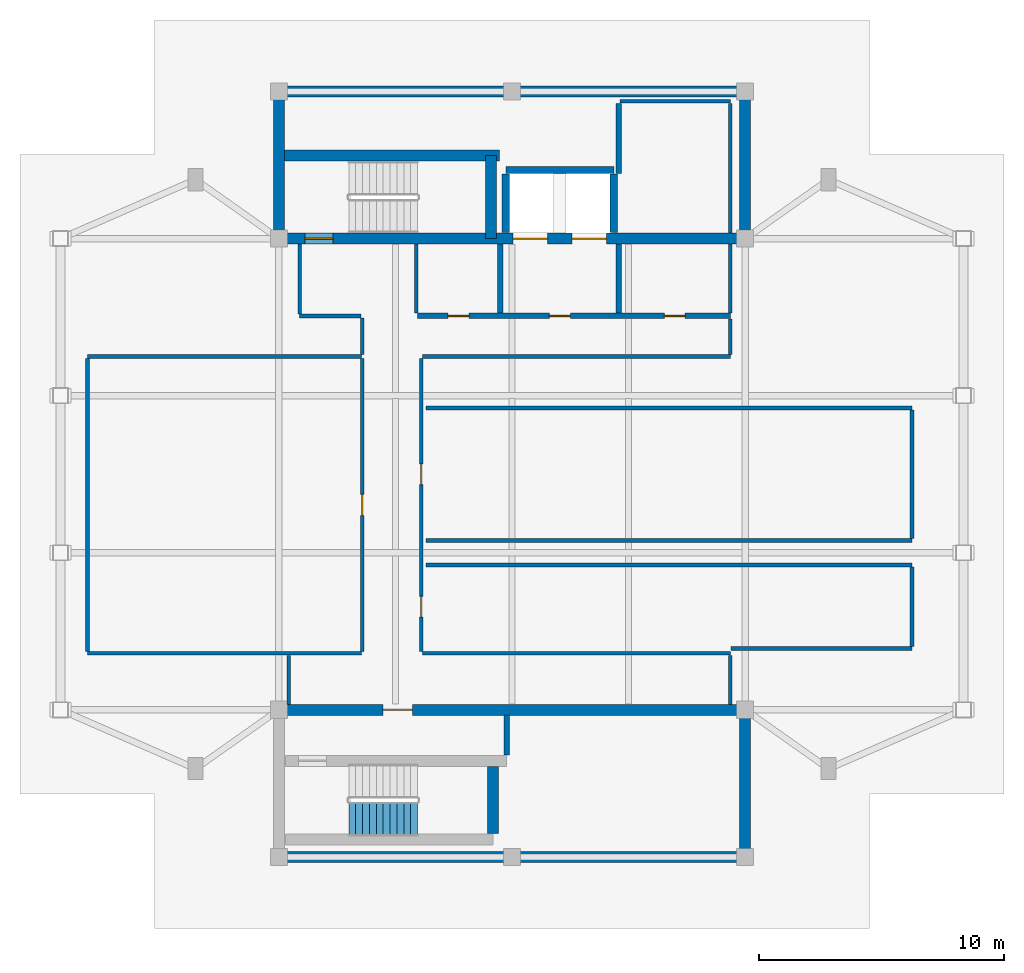
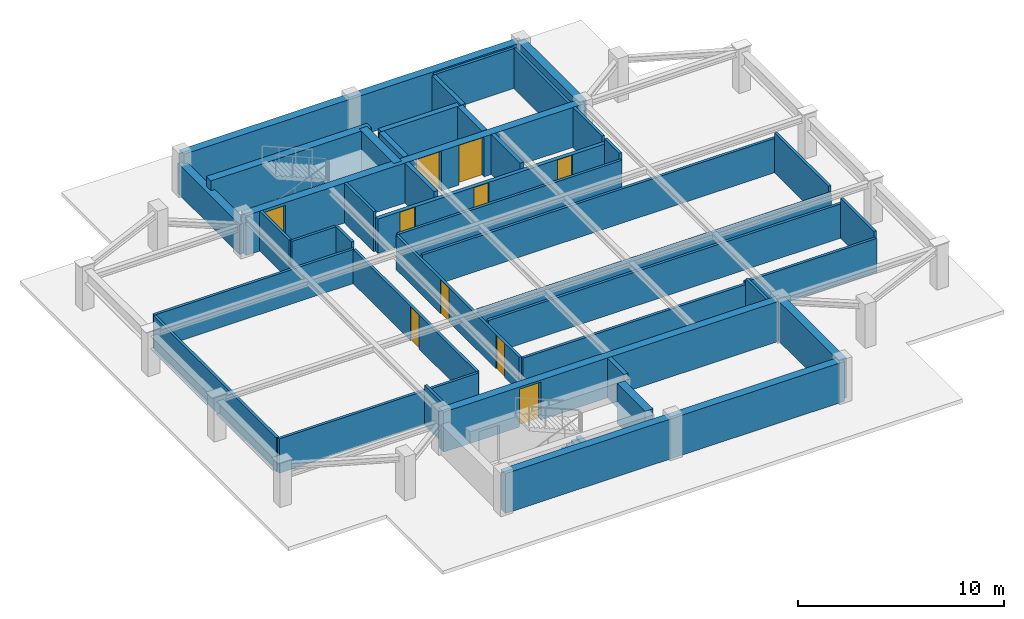
# One storey, part 2 of 4: 41 walls, 10 doors, 1 stair flight, 10 openings, 1 element without a shape of its own.
"""IFC4 building model written with IfcOpenShell, lengths in metres."""

from ifc_helpers import new_model, si_unit, direction, frame, frame_2d, origin, place, context, subcontext, project, spatial, polyline, rectangle, outline, extrude, material, layer, layer_set, type_object, element, fill, aggregate, save


model = new_model("IFC4")

# Units and contexts
model_context = context("Model", 3, precision=1e-05, world=origin(), true_north=direction((0.0, 1.0)))
body_context = subcontext(model_context, "Body", "Model", "MODEL_VIEW")
ifc_project = project(units=[si_unit("LENGTHUNIT", "METRE"), si_unit("AREAUNIT", "SQUARE_METRE"), si_unit("VOLUMEUNIT", "CUBIC_METRE"), si_unit("PLANEANGLEUNIT", "RADIAN"), si_unit("MASSUNIT", "GRAM", prefix="KILO")], contexts=[model_context])

# Site, building, storey
site_placement = place(None, origin())
site = spatial("IfcSite", under=ifc_project, at=site_placement, CompositionType="ELEMENT")
building_placement = place(site_placement, origin())
building = spatial("IfcBuilding", under=site, at=building_placement, Name="Mirazonda Arch Towers", CompositionType="ELEMENT")
storey_placement = place(building_placement, frame((0.0, 0.0, 273.89990234375)))
storey = spatial("IfcBuildingStorey", under=building, at=storey_placement, Name="L79", CompositionType="ELEMENT", Elevation=273.89990234375)

# Walls
ifc_material_1 = material(Name="Concrete C50/60", Category="concrete")
ifc_layer_1 = layer(ifc_material_1, 0.449951171875, Name="WALL-CORE-450")
ifc_layer_set_1 = layer_set([ifc_layer_1], Name="Concrete C50/60")
wall_type_1 = type_object("IfcWallType", Name="WALL-CORE-450", PredefinedType="SHEAR", material=ifc_layer_set_1)
wall_1_placement = place(storey_placement, frame((11.0, 43.60009765625, 0.0), z_axis=(0.0, 0.0, 1.0), x_axis=(1.0, 0.0, 0.0)))
element("IfcWall", 1, at=wall_1_placement, inside=storey, type_object=wall_type_1, Name="L79 T1N-N Core Shear Wall", PredefinedType="SHEAR", context=body_context, shape_type="SweptSolid", body=[
    extrude(rectangle(XDim=19.0, YDim=0.449951171875, at=frame_2d((9.5, 0.0))), origin(), (0.0, 0.0, 1.0), 2.3701171875),
])
wall_2_placement = place(storey_placement, frame((11.0, 37.60009765625, 0.0), z_axis=(0.0, 0.0, 1.0), x_axis=(0.0, 1.0, 0.0)))
element("IfcWall", 2, at=wall_2_placement, inside=storey, type_object=wall_type_1, Name="L79 T1N-W Core Shear Wall", PredefinedType="SHEAR", context=body_context, shape_type="SweptSolid", body=[
    extrude(rectangle(XDim=6.0, YDim=0.449951171875, at=frame_2d((3.0, 0.0))), origin(), (0.0, 0.0, 1.0), 1.7900390625),
])
wall_3_placement = place(storey_placement, frame((30.0, 37.60009765625, 0.0), z_axis=(0.0, 0.0, 1.0), x_axis=(0.0, 1.0, 0.0)))
element("IfcWall", 3, at=wall_3_placement, inside=storey, type_object=wall_type_1, Name="L79 T1N-E Core Shear Wall", PredefinedType="SHEAR", context=body_context, shape_type="SweptSolid", body=[
    extrude(rectangle(XDim=6.0, YDim=0.449951171875, at=frame_2d((3.0, 0.0))), origin(), (0.0, 0.0, 1.0), 2.3701171875),
])

# Wall, openings, doors
wall_4_placement = place(storey_placement, frame((11.0, 37.60009765625, 0.0), z_axis=(0.0, 0.0, 1.0), x_axis=(1.0, 0.0, 0.0)))
wall_4 = element("IfcWall", 4, at=wall_4_placement, inside=storey, type_object=wall_type_1, Name="L79 T1N-S Core Shear Wall", PredefinedType="SHEAR", context=body_context, shape_type="SweptSolid", body=[
    extrude(rectangle(XDim=19.0, YDim=0.449951171875, at=frame_2d((9.5, 0.0))), origin(), (0.0, 0.0, 1.0), 2.3701171875),
])
opening_1_placement = place(wall_4_placement, frame((1.06005859375, 0.0, 0.0)))
opening_1 = element("IfcOpeningElement", 5, at=opening_1_placement, cuts=wall_4, Name="Opening DR-135", PredefinedType="OPENING", context=body_context, shape_type="SweptSolid", body=[
    extrude(rectangle(XDim=1.14990234375, YDim=2.199951171875, at=frame_2d((0.574951171875, 1.10009765625))), frame((0.0, 0.23486328125, 0.0), z_axis=(0.0, -1.0, 0.0), x_axis=(1.0, 0.0, 0.0)), (0.0, 0.0, 1.0), 0.469970703125),
])
opening_2_placement = place(wall_4_placement, frame((9.550048828125, 0.0, 0.0)))
opening_2 = element("IfcOpeningElement", 6, at=opening_2_placement, cuts=wall_4, Name="Opening LD-112", PredefinedType="OPENING", context=body_context, shape_type="SweptSolid", body=[
    extrude(rectangle(XDim=1.39990234375, YDim=2.35009765625, at=frame_2d((0.699951171875, 1.175048828125))), frame((0.0, 0.23486328125, 0.0), z_axis=(0.0, -1.0, 0.0), x_axis=(1.0, 0.0, 0.0)), (0.0, 0.0, 1.0), 0.469970703125),
])
opening_3_placement = place(wall_4_placement, frame((11.949951171875, 0.0, 0.0)))
opening_3 = element("IfcOpeningElement", 7, at=opening_3_placement, cuts=wall_4, Name="Opening LD-112", PredefinedType="OPENING", context=body_context, shape_type="SweptSolid", body=[
    extrude(rectangle(XDim=1.39990234375, YDim=2.35009765625, at=frame_2d((0.699951171875, 1.175048828125))), frame((0.0, 0.23486328125, 0.0), z_axis=(0.0, -1.0, 0.0), x_axis=(1.0, 0.0, 0.0)), (0.0, 0.0, 1.0), 0.469970703125),
])
ifc_material_2 = material(Name="Architectural Brushed Steel S355", Category="steel")
door_type_1 = type_object("IfcDoorType", Name="DOOR-LIFT-FFL-1400", OperationType="NOTDEFINED", PredefinedType="DOOR", material=ifc_material_2)
door_1_placement = place(opening_2_placement, origin())
door_1 = element("IfcDoor", 8, at=door_1_placement, inside=storey, type_object=door_type_1, Name="L79 Lift Landing Sliding Door FFL-T1", OperationType="DOUBLE_DOOR_SLIDING", OverallHeight=2.35009765625, OverallWidth=1.39990234375, PredefinedType="DOOR", context=body_context, shape_type="SweptSolid", body=[
    extrude(rectangle(XDim=1.39990234375, YDim=2.35009765625, at=frame_2d((0.699951171875, 1.175048828125))), frame((0.0, 0.02490234375, 0.0), z_axis=(0.0, -1.0, 0.0), x_axis=(1.0, 0.0, 0.0)), (0.0, 0.0, 1.0), 0.050048828125),
])
fill(opening_2, door_1)
door_2_placement = place(opening_3_placement, origin())
door_2 = element("IfcDoor", 9, at=door_2_placement, inside=storey, type_object=door_type_1, Name="L79 Lift Landing Sliding Door SVL-T1", OperationType="DOUBLE_DOOR_SLIDING", OverallHeight=2.35009765625, OverallWidth=1.39990234375, PredefinedType="DOOR", context=body_context, shape_type="SweptSolid", body=[
    extrude(rectangle(XDim=1.39990234375, YDim=2.35009765625, at=frame_2d((0.699951171875, 1.175048828125))), frame((0.0, 0.02490234375, 0.0), z_axis=(0.0, -1.0, 0.0), x_axis=(1.0, 0.0, 0.0)), (0.0, 0.0, 1.0), 0.050048828125),
])
fill(opening_3, door_2)
door_type_2 = type_object("IfcDoorType", Name="DOOR-STAIR-FD90-1150", OperationType="NOTDEFINED", PredefinedType="DOOR", material=ifc_material_2)
door_3_placement = place(opening_1_placement, origin())
door_3 = element("IfcDoor", 10, at=door_3_placement, inside=storey, type_object=door_type_2, Name="L79 Protected Exit Stair North Door", OperationType="SINGLE_SWING_RIGHT", OverallHeight=2.199951171875, OverallWidth=1.14990234375, PredefinedType="DOOR", context=body_context, shape_type="SweptSolid", body=[
    extrude(rectangle(XDim=1.14990234375, YDim=2.199951171875, at=frame_2d((0.574951171875, 1.10009765625))), frame((0.0, 0.02490234375, 0.0), z_axis=(0.0, -1.0, 0.0), x_axis=(1.0, 0.0, 0.0)), (0.0, 0.0, 1.0), 0.050048828125),
])
fill(opening_1, door_3)

# Walls
wall_5_placement = place(storey_placement, frame((11.0, 40.992919921875, 0.0), z_axis=(0.0, 0.0, 1.0), x_axis=(1.0, 0.0, 0.0)))
element("IfcWall", 11, at=wall_5_placement, inside=storey, type_object=wall_type_1, Name="L79 T1N-STN Core Shear Wall", PredefinedType="SHEAR", context=body_context, shape_type="SweptSolid", body=[
    extrude(rectangle(XDim=9.0, YDim=0.449951171875, at=frame_2d((4.5, 0.0))), origin(), (0.0, 0.0, 1.0), 2.3701171875),
])
wall_6_placement = place(storey_placement, frame((19.64990234375, 37.60009765625, 0.0), z_axis=(0.0, 0.0, 1.0), x_axis=(0.0, 1.0, 0.0)))
element("IfcWall", 12, at=wall_6_placement, inside=storey, type_object=wall_type_1, Name="L79 T1N-STE Core Shear Wall", PredefinedType="SHEAR", context=body_context, shape_type="SweptSolid", body=[
    extrude(rectangle(XDim=3.392822265625, YDim=0.449951171875, at=frame_2d((1.6962890625, 0.0))), origin(), (0.0, 0.0, 1.0), 2.3701171875),
])
wall_7_placement = place(storey_placement, frame((11.0, 12.39990234375, 0.0), z_axis=(0.0, 0.0, 1.0), x_axis=(1.0, 0.0, 0.0)))
element("IfcWall", 13, at=wall_7_placement, inside=storey, type_object=wall_type_1, Name="L79 T1S-S Core Shear Wall", PredefinedType="SHEAR", context=body_context, shape_type="SweptSolid", body=[
    extrude(rectangle(XDim=19.0, YDim=0.449951171875, at=frame_2d((9.5, 0.0))), origin(), (0.0, 0.0, 1.0), 2.3701171875),
])
wall_8_placement = place(storey_placement, frame((30.0, 12.39990234375, 0.0), z_axis=(0.0, 0.0, 1.0), x_axis=(0.0, 1.0, 0.0)))
element("IfcWall", 14, at=wall_8_placement, inside=storey, type_object=wall_type_1, Name="L79 T1S-E Core Shear Wall", PredefinedType="SHEAR", context=body_context, shape_type="SweptSolid", body=[
    extrude(rectangle(XDim=6.0, YDim=0.449951171875, at=frame_2d((3.0, 0.0))), origin(), (0.0, 0.0, 1.0), 2.3701171875),
])

# Wall, opening, door
wall_9_placement = place(storey_placement, frame((11.0, 18.39990234375, 0.0), z_axis=(0.0, 0.0, 1.0), x_axis=(1.0, 0.0, 0.0)))
wall_9 = element("IfcWall", 15, at=wall_9_placement, inside=storey, type_object=wall_type_1, Name="L79 T1S-N Core Shear Wall", PredefinedType="SHEAR", context=body_context, shape_type="SweptSolid", body=[
    extrude(rectangle(XDim=19.0, YDim=0.449951171875, at=frame_2d((9.5, 0.0))), origin(), (0.0, 0.0, 1.0), 2.3701171875),
])
opening_4_placement = place(wall_9_placement, frame((4.239990234375, 0.0, 0.0)))
opening_4 = element("IfcOpeningElement", 16, at=opening_4_placement, cuts=wall_9, Name="Opening DR-117", PredefinedType="OPENING", context=body_context, shape_type="SweptSolid", body=[
    extrude(rectangle(XDim=1.199951171875, YDim=2.25, at=frame_2d((0.60009765625, 1.125))), frame((0.0, 0.23486328125, 0.0), z_axis=(0.0, -1.0, 0.0), x_axis=(1.0, 0.0, 0.0)), (0.0, 0.0, 1.0), 0.469970703125),
])
door_type_3 = type_object("IfcDoorType", Name="DOOR-FFL-FD90-1200", OperationType="NOTDEFINED", PredefinedType="DOOR", material=ifc_material_2)
door_4_placement = place(opening_4_placement, origin())
door_4 = element("IfcDoor", 17, at=door_4_placement, inside=storey, type_object=door_type_3, Name="L79 South Core Stair & Lift Lobby Door", OperationType="SINGLE_SWING_RIGHT", OverallHeight=2.25, OverallWidth=1.199951171875, PredefinedType="DOOR", context=body_context, shape_type="SweptSolid", body=[
    extrude(rectangle(XDim=1.199951171875, YDim=2.25, at=frame_2d((0.60009765625, 1.125))), frame((0.0, 0.02490234375, 0.0), z_axis=(0.0, -1.0, 0.0), x_axis=(1.0, 0.0, 0.0)), (0.0, 0.0, 1.0), 0.050048828125),
])
fill(opening_4, door_4)

# Wall
wall_10_placement = place(storey_placement, frame((19.72998046875, 13.35498046875, 0.0), z_axis=(0.0, 0.0, 1.0), x_axis=(0.0, 1.0, 0.0)))
element("IfcWall", 18, at=wall_10_placement, inside=storey, type_object=wall_type_1, Name="L79 Stair Core Shear Wall 022", PredefinedType="SHEAR", context=body_context, shape_type="SweptSolid", body=[
    extrude(rectangle(XDim=2.72998046875, YDim=0.449951171875, at=frame_2d((1.364990234375, 0.0))), origin(), (0.0, 0.0, 1.0), 2.3701171875),
])

# Wall, openings, doors
ifc_material_3 = material(Name="Concrete C40/50", Category="concrete")
ifc_layer_2 = layer(ifc_material_3, 0.219970703125, Name="WALL-FFL-220")
ifc_layer_set_2 = layer_set([ifc_layer_2], Name="Concrete C40/50")
wall_type_2 = type_object("IfcWallType", Name="WALL-FFL-220", PredefinedType="SOLIDWALL", material=ifc_layer_set_2)
wall_11_placement = place(storey_placement, frame((16.639892578125, 34.449951171875, 0.0), z_axis=(0.0, 0.0, 1.0), x_axis=(1.0, 0.0, 0.0)))
wall_11 = element("IfcWall", 19, at=wall_11_placement, inside=storey, type_object=wall_type_2, Name="L79 Interior Partition 012", PredefinedType="SOLIDWALL", context=body_context, shape_type="SweptSolid", body=[
    extrude(rectangle(XDim=12.760009765625, YDim=0.219970703125, at=frame_2d((6.3798828125, 0.0))), origin(), (0.0, 0.0, 1.0), 2.031982421875),
])
opening_5_placement = place(wall_11_placement, frame((5.385009765625, 0.0, 0.0)))
opening_5 = element("IfcOpeningElement", 20, at=opening_5_placement, cuts=wall_11, Name="Opening DR-128", PredefinedType="OPENING", context=body_context, shape_type="SweptSolid", body=[
    extrude(rectangle(XDim=0.85009765625, YDim=2.010009765625, at=frame_2d((0.425048828125, 1.0048828125))), frame((0.0, 0.119873046875, 0.0), z_axis=(0.0, -1.0, 0.0), x_axis=(1.0, 0.0, 0.0)), (0.0, 0.0, 1.0), 0.239990234375),
])
opening_6_placement = place(wall_11_placement, frame((10.06494140625, 0.0, 0.0)))
opening_6 = element("IfcOpeningElement", 21, at=opening_6_placement, cuts=wall_11, Name="Opening DR-128", PredefinedType="OPENING", context=body_context, shape_type="SweptSolid", body=[
    extrude(rectangle(XDim=0.85009765625, YDim=2.010009765625, at=frame_2d((0.425048828125, 1.0048828125))), frame((0.0, 0.119873046875, 0.0), z_axis=(0.0, -1.0, 0.0), x_axis=(1.0, 0.0, 0.0)), (0.0, 0.0, 1.0), 0.239990234375),
])
opening_7_placement = place(wall_11_placement, frame((1.25, 0.0, 0.0)))
opening_7 = element("IfcOpeningElement", 22, at=opening_7_placement, cuts=wall_11, Name="Opening DR-128", PredefinedType="OPENING", context=body_context, shape_type="SweptSolid", body=[
    extrude(rectangle(XDim=0.85009765625, YDim=2.010009765625, at=frame_2d((0.425048828125, 1.0048828125))), frame((0.0, 0.119873046875, 0.0), z_axis=(0.0, -1.0, 0.0), x_axis=(1.0, 0.0, 0.0)), (0.0, 0.0, 1.0), 0.239990234375),
])
door_type_4 = type_object("IfcDoorType", Name="DOOR-RISER-FD60-850", OperationType="NOTDEFINED", PredefinedType="DOOR", material=ifc_material_2)
door_5_placement = place(opening_5_placement, origin())
door_5 = element("IfcDoor", 23, at=door_5_placement, inside=storey, type_object=door_type_4, Name="L79 Firefighting Lift Lobby Door", OperationType="SINGLE_SWING_LEFT", OverallHeight=2.010009765625, OverallWidth=0.85009765625, PredefinedType="DOOR", context=body_context, shape_type="SweptSolid", body=[
    extrude(rectangle(XDim=0.85009765625, YDim=2.010009765625, at=frame_2d((0.425048828125, 1.0048828125))), frame((0.0, 0.02490234375, 0.0), z_axis=(0.0, -1.0, 0.0), x_axis=(1.0, 0.0, 0.0)), (0.0, 0.0, 1.0), 0.050048828125),
])
fill(opening_5, door_5)
door_6_placement = place(opening_6_placement, origin())
door_6 = element("IfcDoor", 24, at=door_6_placement, inside=storey, type_object=door_type_4, Name="L79 Mechanical Exhaust & Riser Plant Room Door", OperationType="SINGLE_SWING_RIGHT", OverallHeight=2.010009765625, OverallWidth=0.85009765625, PredefinedType="DOOR", context=body_context, shape_type="SweptSolid", body=[
    extrude(rectangle(XDim=0.85009765625, YDim=2.010009765625, at=frame_2d((0.425048828125, 1.0048828125))), frame((0.0, 0.02490234375, 0.0), z_axis=(0.0, -1.0, 0.0), x_axis=(1.0, 0.0, 0.0)), (0.0, 0.0, 1.0), 0.050048828125),
])
fill(opening_6, door_6)
door_7_placement = place(opening_7_placement, origin())
door_7 = element("IfcDoor", 25, at=door_7_placement, inside=storey, type_object=door_type_4, Name="L79 Electrical & Housekeeping Service Room Door", OperationType="SINGLE_SWING_LEFT", OverallHeight=2.010009765625, OverallWidth=0.85009765625, PredefinedType="DOOR", context=body_context, shape_type="SweptSolid", body=[
    extrude(rectangle(XDim=0.85009765625, YDim=2.010009765625, at=frame_2d((0.425048828125, 1.0048828125))), frame((0.0, 0.02490234375, 0.0), z_axis=(0.0, -1.0, 0.0), x_axis=(1.0, 0.0, 0.0)), (0.0, 0.0, 1.0), 0.050048828125),
])
fill(opening_7, door_7)

# Walls
wall_12_placement = place(storey_placement, frame((20.02490234375, 34.570068359375, 0.0), z_axis=(0.0, 0.0, 1.0), x_axis=(0.0, 1.0, 0.0)))
element("IfcWall", 26, at=wall_12_placement, inside=storey, type_object=wall_type_2, Name="L79 Interior Partition 023", PredefinedType="SOLIDWALL", context=body_context, shape_type="SweptSolid", body=[
    extrude(rectangle(XDim=2.809814453125, YDim=0.219970703125, at=frame_2d((1.40478515625, 0.0))), origin(), (0.0, 0.0, 1.0), 2.3701171875),
])
wall_13_placement = place(storey_placement, frame((20.280029296875, 16.554931640625, 0.0), z_axis=(0.0, 0.0, 1.0), x_axis=(0.0, 1.0, 0.0)))
element("IfcWall", 27, at=wall_13_placement, inside=storey, type_object=wall_type_2, Name="L79 Interior Partition 024", PredefinedType="SOLIDWALL", context=body_context, shape_type="SweptSolid", body=[
    extrude(rectangle(XDim=1.625, YDim=0.219970703125, at=frame_2d((0.8125, 0.0))), origin(), (0.0, 0.0, 1.0), 2.3701171875),
])
wall_14_placement = place(storey_placement, frame((24.85009765625, 34.570068359375, 0.0), z_axis=(0.0, 0.0, 1.0), x_axis=(0.0, 1.0, 0.0)))
element("IfcWall", 28, at=wall_14_placement, inside=storey, type_object=wall_type_2, Name="L79 Interior Partition 027", PredefinedType="SOLIDWALL", context=body_context, shape_type="SweptSolid", body=[
    extrude(rectangle(XDim=2.809814453125, YDim=0.219970703125, at=frame_2d((1.40478515625, 0.0))), origin(), (0.0, 0.0, 1.0), 2.3701171875),
])
wall_15_placement = place(storey_placement, frame((24.85009765625, 40.260009765625, 0.0), z_axis=(0.0, 0.0, 1.0), x_axis=(0.0, 1.0, 0.0)))
element("IfcWall", 29, at=wall_15_placement, inside=storey, type_object=wall_type_2, Name="L79 Interior Partition 028", PredefinedType="SOLIDWALL", context=body_context, shape_type="SweptSolid", body=[
    extrude(rectangle(XDim=2.85498046875, YDim=0.219970703125, at=frame_2d((1.427490234375, 0.0))), origin(), (0.0, 0.0, 1.0), 2.3701171875),
])
ifc_material_4 = material(Name="Fire-Rated Gypsum Stud Partition")
ifc_layer_3 = layer(ifc_material_4, 0.14990234375, Name="WALL-PART-CORR-150")
ifc_layer_set_3 = layer_set([ifc_layer_3], Name="Fire-Rated Gypsum Stud Partition")
wall_type_3 = type_object("IfcWallType", Name="WALL-PART-CORR-150", PredefinedType="PARTITIONING", material=ifc_layer_set_3)
wall_16_placement = place(storey_placement, frame((3.199951171875, 20.699951171875, 0.0), z_axis=(0.0, 0.0, 1.0), x_axis=(1.0, 0.0, 0.0)))
element("IfcWall", 30, at=wall_16_placement, inside=storey, type_object=wall_type_3, Name="L79 Interior Partition 003", PredefinedType="PARTITIONING", context=body_context, shape_type="SweptSolid", body=[
    extrude(rectangle(XDim=11.16015625, YDim=0.14990234375, at=frame_2d((5.580078125, 0.0))), origin(), (0.0, 0.0, 1.0), 2.031982421875),
])
wall_17_placement = place(storey_placement, frame((16.85009765625, 20.699951171875, 0.0), z_axis=(0.0, 0.0, 1.0), x_axis=(1.0, 0.0, 0.0)))
element("IfcWall", 31, at=wall_17_placement, inside=storey, type_object=wall_type_3, Name="L79 Interior Partition 004", PredefinedType="PARTITIONING", context=body_context, shape_type="SweptSolid", body=[
    extrude(rectangle(XDim=12.5498046875, YDim=0.14990234375, at=frame_2d((6.27490234375, 0.0))), origin(), (0.0, 0.0, 1.0), 2.031982421875),
])
wall_18_placement = place(storey_placement, frame((29.419921875, 20.89990234375, 0.0), z_axis=(0.0, 0.0, 1.0), x_axis=(1.0, 0.0, 0.0)))
element("IfcWall", 32, at=wall_18_placement, inside=storey, type_object=wall_type_3, Name="L79 Interior Partition 005", PredefinedType="PARTITIONING", context=body_context, shape_type="SweptSolid", body=[
    extrude(rectangle(XDim=7.380126953125, YDim=0.14990234375, at=frame_2d((3.68994140625, 0.0))), origin(), (0.0, 0.0, 1.0), 2.031982421875),
])
for number, where, z_axis, x_axis, name in (
    (33, (17.0, 24.300048828125, 0.0), (0.0, 0.0, 1.0), (1.0, 0.0, 0.0), "L79 Interior Partition 006"),
    (34, (17.0, 25.300048828125, 0.0), (0.0, 0.0, 1.0), (1.0, 0.0, 0.0), "L79 Interior Partition 007"),
    (35, (17.0, 30.699951171875, 0.0), (0.0, 0.0, 1.0), (1.0, 0.0, 0.0), "L79 Interior Partition 008"),
):
    element("IfcWall", number, at=place(storey_placement, frame(where, z_axis=z_axis, x_axis=x_axis)), inside=storey, type_object=wall_type_3, Name=name, PredefinedType="PARTITIONING", context=body_context, shape_type="SweptSolid", body=[
        extrude(rectangle(XDim=19.800048828125, YDim=0.14990234375, at=frame_2d((9.89990234375, 0.0))), origin(), (0.0, 0.0, 1.0), 2.031982421875),
    ])
wall_19_placement = place(storey_placement, frame((3.199951171875, 32.800048828125, 0.0), z_axis=(0.0, 0.0, 1.0), x_axis=(1.0, 0.0, 0.0)))
element("IfcWall", 36, at=wall_19_placement, inside=storey, type_object=wall_type_3, Name="L79 Interior Partition 009", PredefinedType="PARTITIONING", context=body_context, shape_type="SweptSolid", body=[
    extrude(rectangle(XDim=11.16015625, YDim=0.14990234375, at=frame_2d((5.580078125, 0.0))), origin(), (0.0, 0.0, 1.0), 2.031982421875),
])
wall_20_placement = place(storey_placement, frame((16.85009765625, 32.800048828125, 0.0), z_axis=(0.0, 0.0, 1.0), x_axis=(1.0, 0.0, 0.0)))
element("IfcWall", 37, at=wall_20_placement, inside=storey, type_object=wall_type_3, Name="L79 Interior Partition 010", PredefinedType="PARTITIONING", context=body_context, shape_type="SweptSolid", body=[
    extrude(rectangle(XDim=12.5498046875, YDim=0.14990234375, at=frame_2d((6.27490234375, 0.0))), origin(), (0.0, 0.0, 1.0), 2.031982421875),
])
wall_21_placement = place(storey_placement, frame((11.85009765625, 34.449951171875, 0.0), z_axis=(0.0, 0.0, 1.0), x_axis=(1.0, 0.0, 0.0)))
element("IfcWall", 38, at=wall_21_placement, inside=storey, type_object=wall_type_3, Name="L79 Interior Partition 011", PredefinedType="PARTITIONING", context=body_context, shape_type="SweptSolid", body=[
    extrude(rectangle(XDim=2.5, YDim=0.14990234375, at=frame_2d((1.25, 0.0))), origin(), (0.0, 0.0, 1.0), 2.3701171875),
])
wall_22_placement = place(storey_placement, frame((24.89990234375, 43.199951171875, 0.0), z_axis=(0.0, 0.0, 1.0), x_axis=(1.0, 0.0, 0.0)))
element("IfcWall", 39, at=wall_22_placement, inside=storey, type_object=wall_type_3, Name="L79 Interior Partition 014", PredefinedType="PARTITIONING", context=body_context, shape_type="SweptSolid", body=[
    extrude(rectangle(XDim=4.5, YDim=0.14990234375, at=frame_2d((2.25, 0.0))), origin(), (0.0, 0.0, 1.0), 2.3701171875),
])
wall_23_placement = place(storey_placement, frame((3.199951171875, 20.784912109375, 0.0), z_axis=(0.0, 0.0, 1.0), x_axis=(0.0, 1.0, 0.0)))
element("IfcWall", 40, at=wall_23_placement, inside=storey, type_object=wall_type_3, Name="L79 Interior Partition 015", PredefinedType="PARTITIONING", context=body_context, shape_type="SweptSolid", body=[
    extrude(rectangle(XDim=11.93017578125, YDim=0.14990234375, at=frame_2d((5.965087890625, 0.0))), origin(), (0.0, 0.0, 1.0), 2.031982421875),
])
wall_24_placement = place(storey_placement, frame((11.39990234375, 18.6201171875, 0.0), z_axis=(0.0, 0.0, 1.0), x_axis=(0.0, 1.0, 0.0)))
element("IfcWall", 41, at=wall_24_placement, inside=storey, type_object=wall_type_3, Name="L79 Interior Partition 016", PredefinedType="PARTITIONING", context=body_context, shape_type="SweptSolid", body=[
    extrude(rectangle(XDim=1.994873046875, YDim=0.14990234375, at=frame_2d((0.99755859375, 0.0))), origin(), (0.0, 0.0, 1.0), 2.3701171875),
])
wall_25_placement = place(storey_placement, frame((11.85009765625, 34.534912109375, 0.0), z_axis=(0.0, 0.0, 1.0), x_axis=(0.0, 1.0, 0.0)))
element("IfcWall", 42, at=wall_25_placement, inside=storey, type_object=wall_type_3, Name="L79 Interior Partition 017", PredefinedType="PARTITIONING", context=body_context, shape_type="SweptSolid", body=[
    extrude(rectangle(XDim=2.844970703125, YDim=0.14990234375, at=frame_2d((1.42236328125, 0.0))), origin(), (0.0, 0.0, 1.0), 2.3701171875),
])

# Wall, opening, door
wall_26_placement = place(storey_placement, frame((14.39990234375, 20.784912109375, 0.0), z_axis=(0.0, 0.0, 1.0), x_axis=(0.0, 1.0, 0.0)))
wall_26 = element("IfcWall", 43, at=wall_26_placement, inside=storey, type_object=wall_type_3, Name="L79 Interior Partition 018", PredefinedType="PARTITIONING", context=body_context, shape_type="SweptSolid", body=[
    extrude(rectangle(XDim=11.93017578125, YDim=0.14990234375, at=frame_2d((5.965087890625, 0.0))), origin(), (0.0, 0.0, 1.0), 2.031982421875),
])
opening_8_placement = place(wall_26_placement, frame((5.5400390625, 0.0, 0.0)))
opening_8 = element("IfcOpeningElement", 44, at=opening_8_placement, cuts=wall_26, Name="Opening DR-128", PredefinedType="OPENING", context=body_context, shape_type="SweptSolid", body=[
    extrude(rectangle(XDim=0.85009765625, YDim=2.010009765625, at=frame_2d((0.425048828125, 1.0048828125))), frame((0.0, 0.0849609375, 0.0), z_axis=(0.0, -1.0, 0.0), x_axis=(1.0, 0.0, 0.0)), (0.0, 0.0, 1.0), 0.169921875),
])
door_8_placement = place(opening_8_placement, origin())
door_8 = element("IfcDoor", 45, at=door_8_placement, inside=storey, type_object=door_type_4, Name="L79 L79 West Crown Mechanical Plant Plenum Door", OperationType="SINGLE_SWING_RIGHT", OverallHeight=2.010009765625, OverallWidth=0.85009765625, PredefinedType="DOOR", context=body_context, shape_type="SweptSolid", body=[
    extrude(rectangle(XDim=0.85009765625, YDim=2.010009765625, at=frame_2d((0.425048828125, 1.0048828125))), frame((0.0, 0.02490234375, 0.0), z_axis=(0.0, -1.0, 0.0), x_axis=(1.0, 0.0, 0.0)), (0.0, 0.0, 1.0), 0.050048828125),
])
fill(opening_8, door_8)

# Walls
wall_27_placement = place(storey_placement, frame((14.39990234375, 32.885009765625, 0.0), z_axis=(0.0, 0.0, 1.0), x_axis=(0.0, 1.0, 0.0)))
element("IfcWall", 46, at=wall_27_placement, inside=storey, type_object=wall_type_3, Name="L79 Interior Partition 019", PredefinedType="PARTITIONING", context=body_context, shape_type="SweptSolid", body=[
    extrude(rectangle(XDim=1.47998046875, YDim=0.14990234375, at=frame_2d((0.739990234375, 0.0))), origin(), (0.0, 0.0, 1.0), 2.3701171875),
])
wall_28_placement = place(storey_placement, frame((16.60009765625, 34.570068359375, 0.0), z_axis=(0.0, 0.0, 1.0), x_axis=(0.0, 1.0, 0.0)))
element("IfcWall", 47, at=wall_28_placement, inside=storey, type_object=wall_type_3, Name="L79 Interior Partition 020", PredefinedType="PARTITIONING", context=body_context, shape_type="SweptSolid", body=[
    extrude(rectangle(XDim=2.809814453125, YDim=0.14990234375, at=frame_2d((1.40478515625, 0.0))), origin(), (0.0, 0.0, 1.0), 2.3701171875),
])

# Wall, openings, doors
wall_29_placement = place(storey_placement, frame((16.800048828125, 20.784912109375, 0.0), z_axis=(0.0, 0.0, 1.0), x_axis=(0.0, 1.0, 0.0)))
wall_29 = element("IfcWall", 48, at=wall_29_placement, inside=storey, type_object=wall_type_3, Name="L79 Interior Partition 021", PredefinedType="PARTITIONING", context=body_context, shape_type="SweptSolid", body=[
    extrude(rectangle(XDim=11.93017578125, YDim=0.14990234375, at=frame_2d((5.965087890625, 0.0))), origin(), (0.0, 0.0, 1.0), 2.031982421875),
])
opening_9_placement = place(wall_29_placement, frame((6.7900390625, 0.0, 0.0)))
opening_9 = element("IfcOpeningElement", 49, at=opening_9_placement, cuts=wall_29, Name="Opening DR-128", PredefinedType="OPENING", context=body_context, shape_type="SweptSolid", body=[
    extrude(rectangle(XDim=0.85009765625, YDim=2.010009765625, at=frame_2d((0.425048828125, 1.0048828125))), frame((0.0, 0.0849609375, 0.0), z_axis=(0.0, -1.0, 0.0), x_axis=(1.0, 0.0, 0.0)), (0.0, 0.0, 1.0), 0.169921875),
])
opening_10_placement = place(wall_29_placement, frame((1.389892578125, 0.0, 0.0)))
opening_10 = element("IfcOpeningElement", 50, at=opening_10_placement, cuts=wall_29, Name="Opening DR-128", PredefinedType="OPENING", context=body_context, shape_type="SweptSolid", body=[
    extrude(rectangle(XDim=0.85009765625, YDim=2.010009765625, at=frame_2d((0.425048828125, 1.0048828125))), frame((0.0, 0.0849609375, 0.0), z_axis=(0.0, -1.0, 0.0), x_axis=(1.0, 0.0, 0.0)), (0.0, 0.0, 1.0), 0.169921875),
])
door_9_placement = place(opening_9_placement, origin())
door_9 = element("IfcDoor", 51, at=door_9_placement, inside=storey, type_object=door_type_4, Name="L79 L79 Building Maintenance Unit Mechanical Plant Door", OperationType="SINGLE_SWING_RIGHT", OverallHeight=2.010009765625, OverallWidth=0.85009765625, PredefinedType="DOOR", context=body_context, shape_type="SweptSolid", body=[
    extrude(rectangle(XDim=0.85009765625, YDim=2.010009765625, at=frame_2d((0.425048828125, 1.0048828125))), frame((0.0, 0.02490234375, 0.0), z_axis=(0.0, -1.0, 0.0), x_axis=(1.0, 0.0, 0.0)), (0.0, 0.0, 1.0), 0.050048828125),
])
fill(opening_9, door_9)
door_10_placement = place(opening_10_placement, origin())
door_10 = element("IfcDoor", 52, at=door_10_placement, inside=storey, type_object=door_type_4, Name="L79 L79 Aviation Telemetry Mechanical Plant Room Door", OperationType="SINGLE_SWING_LEFT", OverallHeight=2.010009765625, OverallWidth=0.85009765625, PredefinedType="DOOR", context=body_context, shape_type="SweptSolid", body=[
    extrude(rectangle(XDim=0.85009765625, YDim=2.010009765625, at=frame_2d((0.425048828125, 1.0048828125))), frame((0.0, 0.02490234375, 0.0), z_axis=(0.0, -1.0, 0.0), x_axis=(1.0, 0.0, 0.0)), (0.0, 0.0, 1.0), 0.050048828125),
])
fill(opening_10, door_10)

# Walls
wall_30_placement = place(storey_placement, frame((29.39990234375, 18.6201171875, 0.0), z_axis=(0.0, 0.0, 1.0), x_axis=(0.0, 1.0, 0.0)))
element("IfcWall", 53, at=wall_30_placement, inside=storey, type_object=wall_type_3, Name="L79 Interior Partition 029", PredefinedType="PARTITIONING", context=body_context, shape_type="SweptSolid", body=[
    extrude(rectangle(XDim=1.994873046875, YDim=0.14990234375, at=frame_2d((0.99755859375, 0.0))), origin(), (0.0, 0.0, 1.0), 2.3701171875),
])
wall_31_placement = place(storey_placement, frame((29.39990234375, 32.885009765625, 0.0), z_axis=(0.0, 0.0, 1.0), x_axis=(0.0, 1.0, 0.0)))
element("IfcWall", 54, at=wall_31_placement, inside=storey, type_object=wall_type_3, Name="L79 Interior Partition 030", PredefinedType="PARTITIONING", context=body_context, shape_type="SweptSolid", body=[
    extrude(rectangle(XDim=1.445068359375, YDim=0.14990234375, at=frame_2d((0.72265625, 0.0))), origin(), (0.0, 0.0, 1.0), 2.3701171875),
])
wall_32_placement = place(storey_placement, frame((29.39990234375, 34.570068359375, 0.0), z_axis=(0.0, 0.0, 1.0), x_axis=(0.0, 1.0, 0.0)))
element("IfcWall", 55, at=wall_32_placement, inside=storey, type_object=wall_type_3, Name="L79 Interior Partition 031", PredefinedType="PARTITIONING", context=body_context, shape_type="SweptSolid", body=[
    extrude(rectangle(XDim=2.809814453125, YDim=0.14990234375, at=frame_2d((1.40478515625, 0.0))), origin(), (0.0, 0.0, 1.0), 2.3701171875),
])
wall_33_placement = place(storey_placement, frame((29.39990234375, 37.820068359375, 0.0), z_axis=(0.0, 0.0, 1.0), x_axis=(0.0, 1.0, 0.0)))
element("IfcWall", 56, at=wall_33_placement, inside=storey, type_object=wall_type_3, Name="L79 Interior Partition 032", PredefinedType="PARTITIONING", context=body_context, shape_type="SweptSolid", body=[
    extrude(rectangle(XDim=5.294921875, YDim=0.14990234375, at=frame_2d((2.6474609375, 0.0))), origin(), (0.0, 0.0, 1.0), 2.3701171875),
])
wall_34_placement = place(storey_placement, frame((36.800048828125, 20.985107421875, 0.0), z_axis=(0.0, 0.0, 1.0), x_axis=(0.0, 1.0, 0.0)))
element("IfcWall", 57, at=wall_34_placement, inside=storey, type_object=wall_type_3, Name="L79 Interior Partition 033", PredefinedType="PARTITIONING", context=body_context, shape_type="SweptSolid", body=[
    extrude(rectangle(XDim=3.22998046875, YDim=0.14990234375, at=frame_2d((1.614990234375, 0.0))), origin(), (0.0, 0.0, 1.0), 2.3701171875),
])
wall_35_placement = place(storey_placement, frame((36.800048828125, 25.385009765625, 0.0), z_axis=(0.0, 0.0, 1.0), x_axis=(0.0, 1.0, 0.0)))
element("IfcWall", 58, at=wall_35_placement, inside=storey, type_object=wall_type_3, Name="L79 Interior Partition 034", PredefinedType="PARTITIONING", context=body_context, shape_type="SweptSolid", body=[
    extrude(rectangle(XDim=5.22998046875, YDim=0.14990234375, at=frame_2d((2.614990234375, 0.0))), origin(), (0.0, 0.0, 1.0), 2.3701171875),
])
ifc_layer_4 = layer(ifc_material_1, 0.300048828125, Name="WALL-SHAFT-300")
ifc_layer_set_4 = layer_set([ifc_layer_4], Name="Concrete C50/60")
wall_type_4 = type_object("IfcWallType", Name="WALL-SHAFT-300", PredefinedType="SOLIDWALL", material=ifc_layer_set_4)
wall_36_placement = place(storey_placement, frame((20.25, 40.39990234375, 0.0), z_axis=(0.0, 0.0, 1.0), x_axis=(1.0, 0.0, 0.0)))
element("IfcWall", 59, at=wall_36_placement, inside=storey, type_object=wall_type_4, Name="L79 Interior Partition 013", PredefinedType="SOLIDWALL", context=body_context, shape_type="SweptSolid", body=[
    extrude(rectangle(XDim=4.39990234375, YDim=0.300048828125, at=frame_2d((2.199951171875, 0.0))), origin(), (0.0, 0.0, 1.0), 2.3701171875),
])
for number, where, z_axis, x_axis, name in (
    (60, (20.25, 37.85009765625, 0.0), (0.0, 0.0, 1.0), (0.0, 1.0, 0.0), "L79 Interior Partition 025"),
    (61, (24.64990234375, 37.85009765625, 0.0), (0.0, 0.0, 1.0), (0.0, 1.0, 0.0), "L79 Interior Partition 026"),
):
    element("IfcWall", number, at=place(storey_placement, frame(where, z_axis=z_axis, x_axis=x_axis)), inside=storey, type_object=wall_type_4, Name=name, PredefinedType="SOLIDWALL", context=body_context, shape_type="SweptSolid", body=[
        extrude(rectangle(XDim=2.389892578125, YDim=0.300048828125, at=frame_2d((1.19482421875, 0.0))), origin(), (0.0, 0.0, 1.0), 2.3701171875),
    ])

# Stair, stair flight
stair_type = type_object("IfcStairType", Name="STAIR-CORE-1400", PredefinedType="HALF_TURN_STAIR", material=ifc_material_3)
stair_placement = place(storey_placement, origin())
stair = element("IfcStair", 62, at=stair_placement, inside=storey, type_object=stair_type, Name="L79 Protected Exit Stair ST-T1S", PredefinedType="HALF_TURN_STAIR")
stair_flight_type = type_object("IfcStairFlightType", Name="FLIGHT-1400", PredefinedType="STRAIGHT", material=ifc_material_3)
stair_flight_placement = place(storey_placement, frame((13.85009765625, 13.949951171875, 0.0), z_axis=(0.0, 0.0, 1.0), x_axis=(1.0, 0.0, 0.0)))
stair_flight = element("IfcStairFlight", 63, at=stair_flight_placement, type_object=stair_flight_type, Name="ST-T1S flight 1", NumberOfRisers=11, NumberOfTreads=10, PredefinedType="STRAIGHT", RiserHeight=0.118181818, TreadLength=0.28, context=body_context, shape_type="SweptSolid", body=[
    extrude(outline(polyline([(0.0, 0.0), (0.0, 0.1181640625), (0.280029296875, 0.1181640625), (0.280029296875, 0.236328125), (0.56005859375, 0.236328125), (0.56005859375, 0.3544921875), (0.840087890625, 0.3544921875), (0.840087890625, 0.47265625), (1.1201171875, 0.47265625), (1.1201171875, 0.5908203125), (1.39990234375, 0.5908203125), (1.39990234375, 0.708984375), (1.679931640625, 0.708984375), (1.679931640625, 0.827392578125), (1.9599609375, 0.827392578125), (1.9599609375, 0.945556640625), (2.239990234375, 0.945556640625), (2.239990234375, 1.063720703125), (2.52001953125, 1.063720703125), (2.52001953125, 1.181884765625), (2.800048828125, 1.181884765625), (2.800048828125, 1.300048828125), (2.800048828125, 1.00830078125), (0.4111328125, 0.0), (0.0, 0.0)])), frame((0.0, 0.699951171875, 0.0), z_axis=(0.0, -1.0, 0.0), x_axis=(1.0, 0.0, 0.0)), (0.0, 0.0, 1.0), 1.39990234375),
])
aggregate(stair, [stair_flight])

save(model, "model.ifc")
